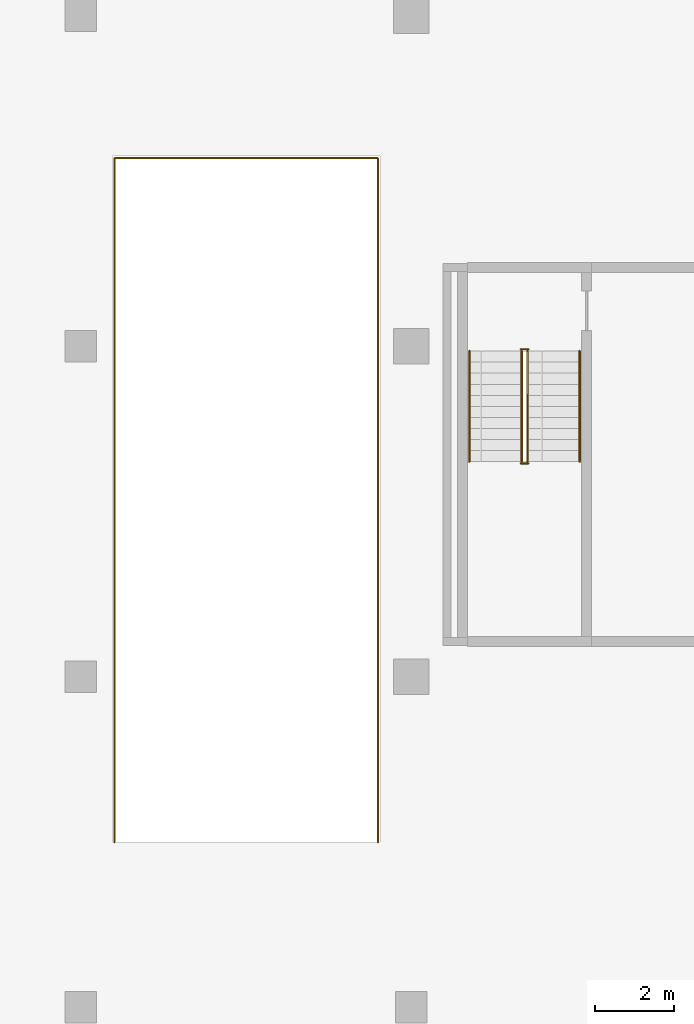
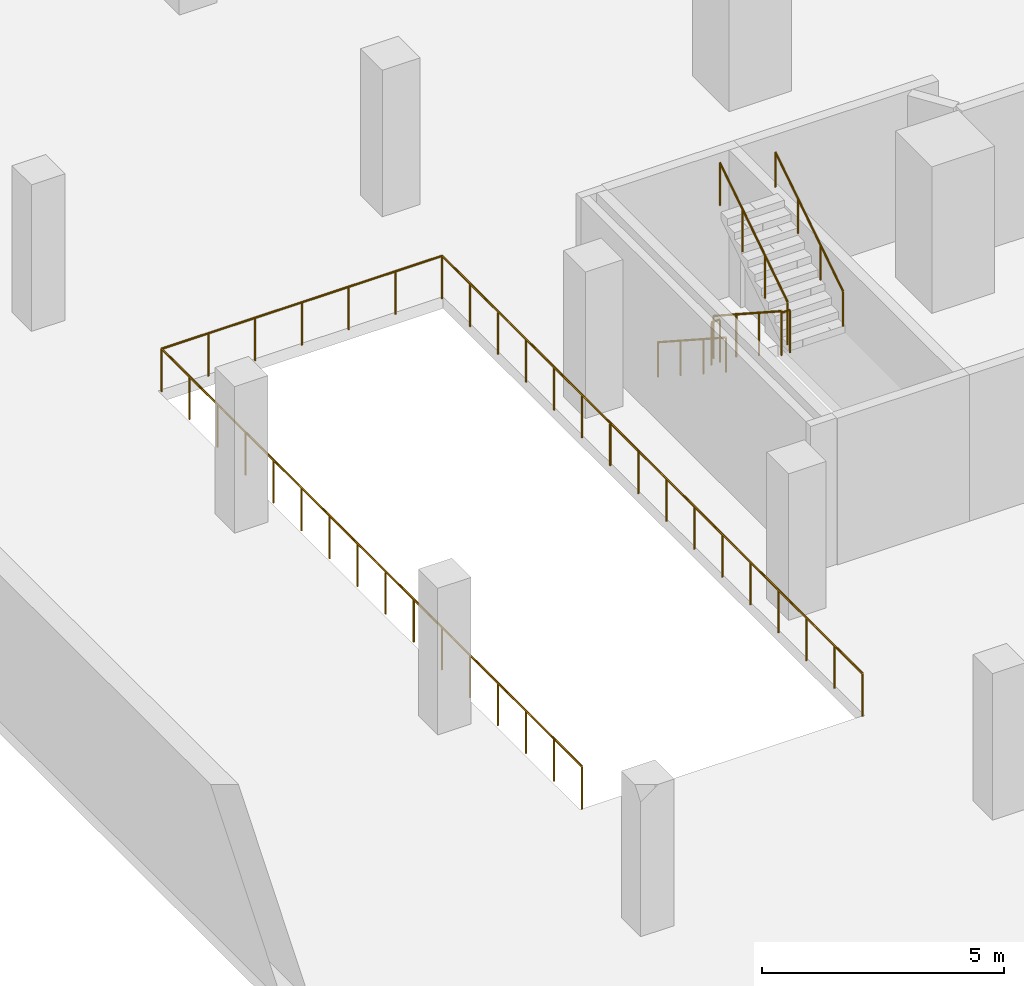
# One storey, part 13 of 18: 7 railings.
"""IFC4 building model written with IfcOpenShell, lengths in metres."""

from ifc_helpers import new_model, si_unit, direction, frame, origin, origin_2d, place, context, subcontext, project, spatial, circle, extrude, material, type_object, element, save


model = new_model("IFC4")

# Units and contexts
model_context = context("Model", 3, precision=1e-05, world=origin(), true_north=direction((0.0, 1.0)))
body_context = subcontext(model_context, "Body", "Model", "MODEL_VIEW")
ifc_project = project(units=[si_unit("LENGTHUNIT", "METRE"), si_unit("AREAUNIT", "SQUARE_METRE"), si_unit("VOLUMEUNIT", "CUBIC_METRE"), si_unit("PLANEANGLEUNIT", "RADIAN"), si_unit("MASSUNIT", "GRAM", prefix="KILO")], contexts=[model_context])

# Site, building, storey
site_placement = place(None, origin())
site = spatial("IfcSite", under=ifc_project, at=site_placement, CompositionType="ELEMENT")
building_placement = place(site_placement, origin())
building = spatial("IfcBuilding", under=site, at=building_placement, Name="Cantera Rosa Tower", CompositionType="ELEMENT")
storey_placement = place(building_placement, frame((0.0, 0.0, -13.0)))
storey = spatial("IfcBuildingStorey", under=building, at=storey_placement, Name="B3", CompositionType="ELEMENT", Elevation=-13.0)

# Railings
ifc_material_1 = material(Name="Steel S355J2 (EN 10025-2)", Category="steel")
railing_type_1 = type_object("IfcRailingType", Name="Edge guard 1100", PredefinedType="GUARDRAIL", material=ifc_material_1)
railing_1_placement = place(storey_placement, frame((-41.14990234375, -33.60009765625, 0.0)))
element("IfcRailing", 1, at=railing_1_placement, inside=storey, type_object=railing_type_1, Name="Guard round ramp opening B3", PredefinedType="GUARDRAIL", context=body_context, shape_type="SweptSolid", body=[
    extrude(circle(Radius=0.02392578125, at=origin_2d()), frame((0.0, 0.0, 1.076171875), z_axis=(0.0, 1.0, 0.0), x_axis=(-1.0, 0.0, 0.0)), (0.0, 0.0, 1.0), 17.38330078125),
    extrude(circle(Radius=0.02392578125, at=origin_2d()), frame((0.0, 17.38330078125, 1.076171875), z_axis=(1.0, 0.0, 0.0), x_axis=(0.0, 1.0, 0.0)), (0.0, 0.0, 1.0), 6.699951171875),
    extrude(circle(Radius=0.02392578125, at=origin_2d()), frame((6.699951171875, 17.38330078125, 1.076171875), z_axis=(0.0, -1.0, 0.0), x_axis=(1.0, 0.0, 0.0)), (0.0, 0.0, 1.0), 17.38330078125),
    extrude(circle(Radius=0.02099609375, at=origin_2d()), origin(), (0.0, 0.0, 1.0), 1.052001953125),
    extrude(circle(Radius=0.02099609375, at=origin_2d()), frame((0.0, 1.158935546875, 0.0)), (0.0, 0.0, 1.0), 1.052001953125),
    extrude(circle(Radius=0.02099609375, at=origin_2d()), frame((0.0, 2.31787109375, 0.0)), (0.0, 0.0, 1.0), 1.052001953125),
    extrude(circle(Radius=0.02099609375, at=origin_2d()), frame((0.0, 3.4765625, 0.0)), (0.0, 0.0, 1.0), 1.052001953125),
    extrude(circle(Radius=0.02099609375, at=origin_2d()), frame((0.0, 4.635498046875, 0.0)), (0.0, 0.0, 1.0), 1.052001953125),
    extrude(circle(Radius=0.02099609375, at=origin_2d()), frame((0.0, 5.79443359375, 0.0)), (0.0, 0.0, 1.0), 1.052001953125),
    extrude(circle(Radius=0.02099609375, at=origin_2d()), frame((0.0, 6.953369140625, 0.0)), (0.0, 0.0, 1.0), 1.052001953125),
    extrude(circle(Radius=0.02099609375, at=origin_2d()), frame((0.0, 8.1123046875, 0.0)), (0.0, 0.0, 1.0), 1.052001953125),
    extrude(circle(Radius=0.02099609375, at=origin_2d()), frame((0.0, 9.27099609375, 0.0)), (0.0, 0.0, 1.0), 1.052001953125),
    extrude(circle(Radius=0.02099609375, at=origin_2d()), frame((0.0, 10.429931640625, 0.0)), (0.0, 0.0, 1.0), 1.052001953125),
    extrude(circle(Radius=0.02099609375, at=origin_2d()), frame((0.0, 11.5888671875, 0.0)), (0.0, 0.0, 1.0), 1.052001953125),
    extrude(circle(Radius=0.02099609375, at=origin_2d()), frame((0.0, 12.747802734375, 0.0)), (0.0, 0.0, 1.0), 1.052001953125),
    extrude(circle(Radius=0.02099609375, at=origin_2d()), frame((0.0, 13.90673828125, 0.0)), (0.0, 0.0, 1.0), 1.052001953125),
    extrude(circle(Radius=0.02099609375, at=origin_2d()), frame((0.0, 15.0654296875, 0.0)), (0.0, 0.0, 1.0), 1.052001953125),
    extrude(circle(Radius=0.02099609375, at=origin_2d()), frame((0.0, 16.224365234375, 0.0)), (0.0, 0.0, 1.0), 1.052001953125),
    extrude(circle(Radius=0.02099609375, at=origin_2d()), frame((0.0, 17.38330078125, 0.0)), (0.0, 0.0, 1.0), 1.052001953125),
    extrude(circle(Radius=0.02099609375, at=origin_2d()), frame((1.11669921875, 17.38330078125, 0.0)), (0.0, 0.0, 1.0), 1.052001953125),
    extrude(circle(Radius=0.02099609375, at=origin_2d()), frame((2.2333984375, 17.38330078125, 0.0)), (0.0, 0.0, 1.0), 1.052001953125),
    extrude(circle(Radius=0.02099609375, at=origin_2d()), frame((3.35009765625, 17.38330078125, 0.0)), (0.0, 0.0, 1.0), 1.052001953125),
    extrude(circle(Radius=0.02099609375, at=origin_2d()), frame((4.466552734375, 17.38330078125, 0.0)), (0.0, 0.0, 1.0), 1.052001953125),
    extrude(circle(Radius=0.02099609375, at=origin_2d()), frame((5.583251953125, 17.38330078125, 0.0)), (0.0, 0.0, 1.0), 1.052001953125),
    extrude(circle(Radius=0.02099609375, at=origin_2d()), frame((6.699951171875, 17.38330078125, 0.0)), (0.0, 0.0, 1.0), 1.052001953125),
    extrude(circle(Radius=0.02099609375, at=origin_2d()), frame((6.699951171875, 16.224365234375, 0.0)), (0.0, 0.0, 1.0), 1.052001953125),
    extrude(circle(Radius=0.02099609375, at=origin_2d()), frame((6.699951171875, 15.0654296875, 0.0)), (0.0, 0.0, 1.0), 1.052001953125),
    extrude(circle(Radius=0.02099609375, at=origin_2d()), frame((6.699951171875, 13.90673828125, 0.0)), (0.0, 0.0, 1.0), 1.052001953125),
    extrude(circle(Radius=0.02099609375, at=origin_2d()), frame((6.699951171875, 12.747802734375, 0.0)), (0.0, 0.0, 1.0), 1.052001953125),
    extrude(circle(Radius=0.02099609375, at=origin_2d()), frame((6.699951171875, 11.5888671875, 0.0)), (0.0, 0.0, 1.0), 1.052001953125),
    extrude(circle(Radius=0.02099609375, at=origin_2d()), frame((6.699951171875, 10.429931640625, 0.0)), (0.0, 0.0, 1.0), 1.052001953125),
    extrude(circle(Radius=0.02099609375, at=origin_2d()), frame((6.699951171875, 9.27099609375, 0.0)), (0.0, 0.0, 1.0), 1.052001953125),
    extrude(circle(Radius=0.02099609375, at=origin_2d()), frame((6.699951171875, 8.1123046875, 0.0)), (0.0, 0.0, 1.0), 1.052001953125),
    extrude(circle(Radius=0.02099609375, at=origin_2d()), frame((6.699951171875, 6.953369140625, 0.0)), (0.0, 0.0, 1.0), 1.052001953125),
    extrude(circle(Radius=0.02099609375, at=origin_2d()), frame((6.699951171875, 5.79443359375, 0.0)), (0.0, 0.0, 1.0), 1.052001953125),
    extrude(circle(Radius=0.02099609375, at=origin_2d()), frame((6.699951171875, 4.635498046875, 0.0)), (0.0, 0.0, 1.0), 1.052001953125),
    extrude(circle(Radius=0.02099609375, at=origin_2d()), frame((6.699951171875, 3.4765625, 0.0)), (0.0, 0.0, 1.0), 1.052001953125),
    extrude(circle(Radius=0.02099609375, at=origin_2d()), frame((6.699951171875, 2.31787109375, 0.0)), (0.0, 0.0, 1.0), 1.052001953125),
    extrude(circle(Radius=0.02099609375, at=origin_2d()), frame((6.699951171875, 1.158935546875, 0.0)), (0.0, 0.0, 1.0), 1.052001953125),
    extrude(circle(Radius=0.02099609375, at=origin_2d()), frame((6.699951171875, 0.0, 0.0)), (0.0, 0.0, 1.0), 1.052001953125),
])
ifc_material_2 = material(Name="Steel S355J2 (EN 10025-2)", Category="steel")
railing_type_2 = type_object("IfcRailingType", Name="STAIR GUARD 1100", PredefinedType="GUARDRAIL", material=ifc_material_2)
railing_2_placement = place(storey_placement, frame((-30.799072265625, -21.125, 0.181884765625)))
element("IfcRailing", 2, at=railing_2_placement, inside=storey, type_object=railing_type_2, Name="B3 ST-SW stair guard 1", PredefinedType="GUARDRAIL", context=body_context, shape_type="SweptSolid", body=[
    extrude(circle(Radius=0.02392578125, at=origin_2d()), frame((0.0, 0.0, 1.076171875), z_axis=(0.0, -0.838705829183, 0.544584733623), x_axis=(1.0, 0.0, 0.0)), (0.0, 0.0, 1.0), 3.338623046875),
    extrude(circle(Radius=0.02099609375, at=origin_2d()), origin(), (0.0, 0.0, 1.0), 1.052001953125),
    extrude(circle(Radius=0.02099609375, at=origin_2d()), frame((0.0, -0.933349609375, 0.60595703125)), (0.0, 0.0, 1.0), 1.052001953125),
    extrude(circle(Radius=0.02099609375, at=origin_2d()), frame((0.0, -1.86669921875, 1.212158203125)), (0.0, 0.0, 1.0), 1.052001953125),
    extrude(circle(Radius=0.02099609375, at=origin_2d()), frame((0.0, -2.800048828125, 1.818115234375)), (0.0, 0.0, 1.0), 1.052001953125),
])
railing_3_placement = place(storey_placement, frame((-30.824951171875, -23.97509765625, 2.0)))
element("IfcRailing", 3, at=railing_3_placement, inside=storey, type_object=railing_type_2, Name="B3 ST-SW stair guard 2", PredefinedType="GUARDRAIL", context=body_context, shape_type="SweptSolid", body=[
    extrude(circle(Radius=0.02392578125, at=origin_2d()), frame((0.0, 0.0, 1.076171875), z_axis=(1.0, 0.0, 0.0), x_axis=(0.0, 1.0, 0.0)), (0.0, 0.0, 1.0), 0.199951171875),
    extrude(circle(Radius=0.02099609375, at=origin_2d()), origin(), (0.0, 0.0, 1.0), 1.052001953125),
    extrude(circle(Radius=0.02099609375, at=origin_2d()), frame((0.199951171875, 0.0, 0.0)), (0.0, 0.0, 1.0), 1.052001953125),
])
railing_4_placement = place(storey_placement, frame((-30.65087890625, -23.925048828125, 2.181884765625)))
element("IfcRailing", 4, at=railing_4_placement, inside=storey, type_object=railing_type_2, Name="B3 ST-SW stair guard 3", PredefinedType="GUARDRAIL", context=body_context, shape_type="SweptSolid", body=[
    extrude(circle(Radius=0.02392578125, at=origin_2d()), frame((0.0, 0.0, 1.076171875), z_axis=(0.0, 0.838705829183, 0.544584733623), x_axis=(-1.0, 0.0, 0.0)), (0.0, 0.0, 1.0), 3.338623046875),
    extrude(circle(Radius=0.02099609375, at=origin_2d()), origin(), (0.0, 0.0, 1.0), 1.052001953125),
    extrude(circle(Radius=0.02099609375, at=origin_2d()), frame((0.0, 0.933349609375, 0.60595703125)), (0.0, 0.0, 1.0), 1.052001953125),
    extrude(circle(Radius=0.02099609375, at=origin_2d()), frame((0.0, 1.86669921875, 1.212158203125)), (0.0, 0.0, 1.0), 1.052001953125),
    extrude(circle(Radius=0.02099609375, at=origin_2d()), frame((0.0, 2.800048828125, 1.818115234375)), (0.0, 0.0, 1.0), 1.052001953125),
])
railing_5_placement = place(storey_placement, frame((-30.824951171875, -21.074951171875, 0.0)))
element("IfcRailing", 5, at=railing_5_placement, inside=storey, type_object=railing_type_2, Name="B3 ST-SW stair guard 4", PredefinedType="GUARDRAIL", context=body_context, shape_type="SweptSolid", body=[
    extrude(circle(Radius=0.02392578125, at=origin_2d()), frame((0.0, 0.0, 1.076171875), z_axis=(1.0, 0.0, 0.0), x_axis=(0.0, 1.0, 0.0)), (0.0, 0.0, 1.0), 0.199951171875),
    extrude(circle(Radius=0.02099609375, at=origin_2d()), origin(), (0.0, 0.0, 1.0), 1.052001953125),
    extrude(circle(Radius=0.02099609375, at=origin_2d()), frame((0.199951171875, 0.0, 0.0)), (0.0, 0.0, 1.0), 1.052001953125),
])
ifc_material_3 = material(Name="Steel S355J2 (EN 10025-2)", Category="steel")
railing_type_3 = type_object("IfcRailingType", Name="STAIR HANDRAIL 900", PredefinedType="HANDRAIL", material=ifc_material_3)
railing_6_placement = place(storey_placement, frame((-32.125, -21.125, 0.181884765625)))
element("IfcRailing", 6, at=railing_6_placement, inside=storey, type_object=railing_type_3, Name="B3 ST-SW stair handrail 1", PredefinedType="HANDRAIL", context=body_context, shape_type="SweptSolid", body=[
    extrude(circle(Radius=0.02392578125, at=origin_2d()), frame((0.0, 0.0, 0.8759765625), z_axis=(0.0, -0.838705829183, 0.544584733623), x_axis=(1.0, 0.0, 0.0)), (0.0, 0.0, 1.0), 3.338623046875),
    extrude(circle(Radius=0.02099609375, at=origin_2d()), origin(), (0.0, 0.0, 1.0), 0.851806640625),
    extrude(circle(Radius=0.02099609375, at=origin_2d()), frame((0.0, -0.933349609375, 0.60595703125)), (0.0, 0.0, 1.0), 0.851806640625),
    extrude(circle(Radius=0.02099609375, at=origin_2d()), frame((0.0, -1.86669921875, 1.212158203125)), (0.0, 0.0, 1.0), 0.851806640625),
    extrude(circle(Radius=0.02099609375, at=origin_2d()), frame((0.0, -2.800048828125, 1.818115234375)), (0.0, 0.0, 1.0), 0.851806640625),
])
railing_7_placement = place(storey_placement, frame((-29.324951171875, -23.925048828125, 2.181884765625)))
element("IfcRailing", 7, at=railing_7_placement, inside=storey, type_object=railing_type_3, Name="B3 ST-SW stair handrail 2", PredefinedType="HANDRAIL", context=body_context, shape_type="SweptSolid", body=[
    extrude(circle(Radius=0.02392578125, at=origin_2d()), frame((0.0, 0.0, 0.8759765625), z_axis=(0.0, 0.838705829183, 0.544584733623), x_axis=(-1.0, 0.0, 0.0)), (0.0, 0.0, 1.0), 3.338623046875),
    extrude(circle(Radius=0.02099609375, at=origin_2d()), origin(), (0.0, 0.0, 1.0), 0.851806640625),
    extrude(circle(Radius=0.02099609375, at=origin_2d()), frame((0.0, 0.933349609375, 0.60595703125)), (0.0, 0.0, 1.0), 0.851806640625),
    extrude(circle(Radius=0.02099609375, at=origin_2d()), frame((0.0, 1.86669921875, 1.212158203125)), (0.0, 0.0, 1.0), 0.851806640625),
    extrude(circle(Radius=0.02099609375, at=origin_2d()), frame((0.0, 2.800048828125, 1.818115234375)), (0.0, 0.0, 1.0), 0.851806640625),
])

save(model, "model.ifc")
